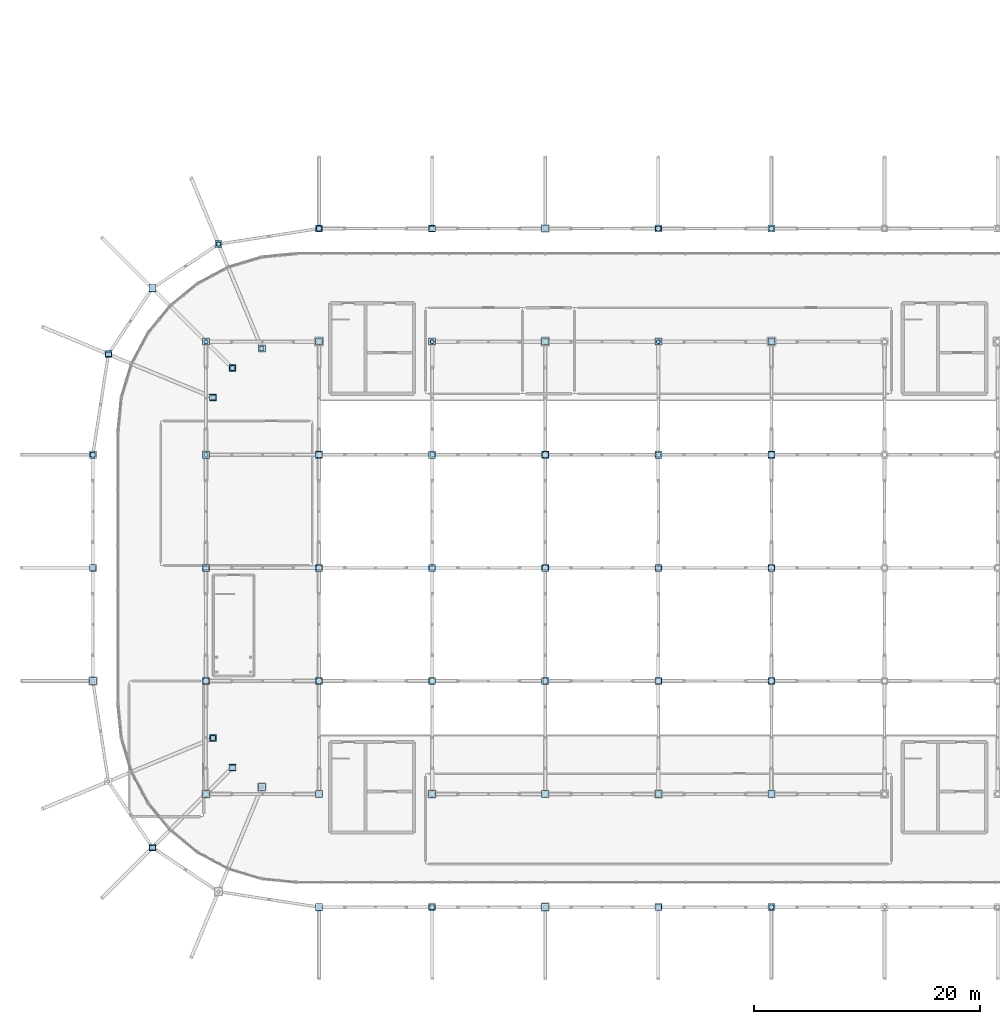
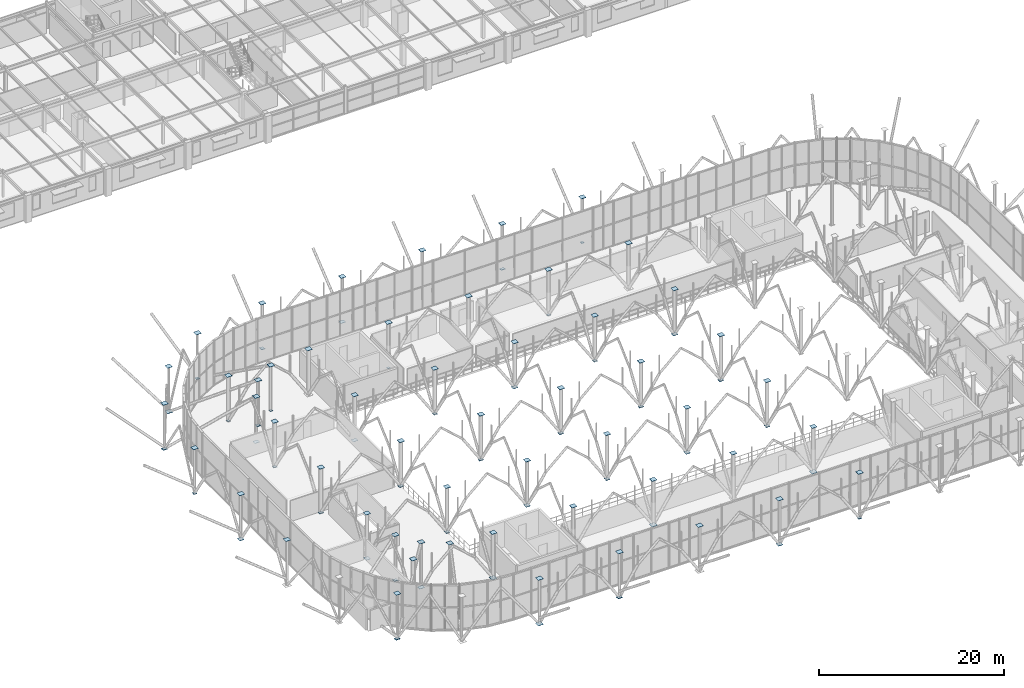
# One storey, part 93 of 109: 96 plates.
"""IFC4 building model written with IfcOpenShell, lengths in metres."""

from ifc_helpers import new_model, si_unit, derived_unit, direction, frame, origin, origin_2d_with_axis, place, context, subcontext, project, spatial, rectangle, extrude, material, layer, layer_set, type_object, element, save


model = new_model("IFC4")

# Units and contexts
model_context = context("Model", 3, precision=1e-05, world=origin(), true_north=direction((0.0, 1.0)))
body_context = subcontext(model_context, "Body", "Model", "MODEL_VIEW")
ifc_project = project(units=[si_unit("LENGTHUNIT", "METRE"), si_unit("AREAUNIT", "SQUARE_METRE"), si_unit("VOLUMEUNIT", "CUBIC_METRE"), si_unit("PLANEANGLEUNIT", "RADIAN"), si_unit("MASSUNIT", "GRAM", prefix="KILO"), derived_unit("THERMALTRANSMITTANCEUNIT", [(si_unit("POWERUNIT", "WATT"), 1), (si_unit("LENGTHUNIT", "METRE"), -2), (si_unit("THERMODYNAMICTEMPERATUREUNIT", "KELVIN"), -1)])], contexts=[model_context])

# Site, building, storey
site_placement = place(None, origin())
site = spatial("IfcSite", under=ifc_project, at=site_placement, CompositionType="ELEMENT")
building_placement = place(site_placement, origin())
building = spatial("IfcBuilding", under=site, at=building_placement, Name="Cinnabar Yard Market Hall", CompositionType="ELEMENT")
storey_placement = place(building_placement, frame((0.0, 0.0, 8.39990234375)))
storey = spatial("IfcBuildingStorey", under=building, at=storey_placement, Name="L02", CompositionType="ELEMENT", Elevation=8.39990234375)

# Plates
ifc_material = material(Name="Steel Grade 350 (350 MPa)", Category="steel")
ifc_layer_1 = layer(ifc_material, 0.02392578125)
ifc_layer_set_1 = layer_set([ifc_layer_1], Name="Steel Grade 350 (350 MPa)")
plate_type_1 = type_object("IfcPlateType", Name="PL-NP02", PredefinedType="SHEET", material=ifc_layer_set_1)
for number, where, z_axis, x_axis, name in (
    (1, (76.0, 34.0, -0.011962890625), (0.0, 0.0, 1.0), (1.0, 0.0, 0.0), "Tree Collar Plate V1I-01-02"),
    (2, (96.0, 34.0, -0.011962890625), (0.0, 0.0, 1.0), (1.0, 0.0, 0.0), "Tree Collar Plate V1I-03-02"),
    (3, (116.0, 34.0, -0.011962890625), (0.0, 0.0, 1.0), (1.0, 0.0, 0.0), "Tree Collar Plate V1I-05-02"),
):
    element("IfcPlate", number, at=place(storey_placement, frame(where, z_axis=z_axis, x_axis=x_axis)), inside=storey, type_object=plate_type_1, Name=name, PredefinedType="SHEET", context=body_context, shape_type="SweptSolid", body=[
        extrude(rectangle(XDim=0.56005859375, YDim=0.56005859375, at=origin_2d_with_axis()), origin(), (0.0, 0.0, 1.0), 0.02392578125),
    ])
ifc_layer_2 = layer(ifc_material, 0.02392578125)
ifc_layer_set_2 = layer_set([ifc_layer_2], Name="Steel Grade 350 (350 MPa)")
plate_type_2 = type_object("IfcPlateType", Name="PL-NP02E", PredefinedType="SHEET", material=ifc_layer_set_2)
for number, where, z_axis, x_axis, name in (
    (4, (116.0, 14.0, -0.011962890625), (0.0, 0.0, 1.0), (1.0, 0.0, 0.0), "Tree Collar Plate V1S-04"),
    (5, (66.0, 44.0, -0.011962890625), (0.0, 0.0, 1.0), (1.0, 0.0, 0.0), "Tree Collar Plate V1W-02"),
):
    element("IfcPlate", number, at=place(storey_placement, frame(where, z_axis=z_axis, x_axis=x_axis)), inside=storey, type_object=plate_type_2, Name=name, PredefinedType="SHEET", context=body_context, shape_type="SweptSolid", body=[
        extrude(rectangle(XDim=0.56005859375, YDim=0.56005859375, at=origin_2d_with_axis()), origin(), (0.0, 0.0, 1.0), 0.02392578125),
    ])
ifc_layer_3 = layer(ifc_material, 0.02001953125)
ifc_layer_set_3 = layer_set([ifc_layer_3], Name="Steel Grade 350 (350 MPa)")
plate_type_3 = type_object("IfcPlateType", Name="PL-NP03", PredefinedType="SHEET", material=ifc_layer_set_3)
for number, where, z_axis, x_axis, name in (
    (6, (76.0, 44.0, -0.010009765625), (0.0, 0.0, 1.0), (1.0, 0.0, 0.0), "Tree Collar Plate V1I-01-03"),
    (7, (96.0, 44.0, -0.010009765625), (0.0, 0.0, 1.0), (1.0, 0.0, 0.0), "Tree Collar Plate V1I-03-03"),
    (8, (116.0, 44.0, -0.010009765625), (0.0, 0.0, 1.0), (1.0, 0.0, 0.0), "Tree Collar Plate V1I-05-03"),
):
    element("IfcPlate", number, at=place(storey_placement, frame(where, z_axis=z_axis, x_axis=x_axis)), inside=storey, type_object=plate_type_3, Name=name, PredefinedType="SHEET", context=body_context, shape_type="SweptSolid", body=[
        extrude(rectangle(XDim=0.47998046875, YDim=0.360107421875, at=origin_2d_with_axis()), origin(), (0.0, 0.0, 1.0), 0.02001953125),
    ])
ifc_layer_4 = layer(ifc_material, 0.02001953125)
ifc_layer_set_4 = layer_set([ifc_layer_4], Name="Steel Grade 350 (350 MPa)")
plate_type_4 = type_object("IfcPlateType", Name="PL-NP03E", PredefinedType="SHEET", material=ifc_layer_set_4)
plate_1_placement = place(storey_placement, frame((116.0, 74.0, -0.010009765625), z_axis=(0.0, 0.0, 1.0), x_axis=(1.0, 0.0, 0.0)))
element("IfcPlate", 9, at=plate_1_placement, inside=storey, type_object=plate_type_4, Name="Tree Collar Plate V1N-04", PredefinedType="SHEET", context=body_context, shape_type="SweptSolid", body=[
    extrude(rectangle(XDim=0.47998046875, YDim=0.360107421875, at=origin_2d_with_axis()), origin(), (0.0, 0.0, 1.0), 0.02001953125),
])
ifc_layer_5 = layer(ifc_material, 0.02392578125)
ifc_layer_set_5 = layer_set([ifc_layer_5], Name="Steel Grade 350 (350 MPa)")
plate_type_5 = type_object("IfcPlateType", Name="PL-NP04", PredefinedType="SHEET", material=ifc_layer_set_5)
for number, where, z_axis, x_axis, name in (
    (10, (76.0, 24.0, 5.988037109375), (0.0, 0.0, 1.0), (1.0, 0.0, 0.0), "Tree Column Top Cap V1I-01-01"),
    (11, (76.0, 34.0, 5.988037109375), (0.0, 0.0, 1.0), (1.0, 0.0, 0.0), "Tree Column Top Cap V1I-01-02"),
    (12, (76.0, 44.0, 5.988037109375), (0.0, 0.0, 1.0), (1.0, 0.0, 0.0), "Tree Column Top Cap V1I-01-03"),
    (13, (76.0, 54.0, 5.988037109375), (0.0, 0.0, 1.0), (1.0, 0.0, 0.0), "Tree Column Top Cap V1I-01-04"),
    (14, (76.0, 64.0, 5.988037109375), (0.0, 0.0, 1.0), (1.0, 0.0, 0.0), "Tree Column Top Cap V1I-01-05"),
    (15, (86.0, 24.0, 5.988037109375), (0.0, 0.0, 1.0), (1.0, 0.0, 0.0), "Tree Column Top Cap V1I-02-01"),
    (16, (86.0, 34.0, 5.988037109375), (0.0, 0.0, 1.0), (1.0, 0.0, 0.0), "Tree Column Top Cap V1I-02-02"),
    (17, (86.0, 44.0, 5.988037109375), (0.0, 0.0, 1.0), (1.0, 0.0, 0.0), "Tree Column Top Cap V1I-02-03"),
    (18, (86.0, 54.0, 5.988037109375), (0.0, 0.0, 1.0), (1.0, 0.0, 0.0), "Tree Column Top Cap V1I-02-04"),
    (19, (86.0, 64.0, 5.988037109375), (0.0, 0.0, 1.0), (1.0, 0.0, 0.0), "Tree Column Top Cap V1I-02-05"),
    (20, (96.0, 24.0, 5.988037109375), (0.0, 0.0, 1.0), (1.0, 0.0, 0.0), "Tree Column Top Cap V1I-03-01"),
    (21, (96.0, 34.0, 5.988037109375), (0.0, 0.0, 1.0), (1.0, 0.0, 0.0), "Tree Column Top Cap V1I-03-02"),
    (22, (96.0, 44.0, 5.988037109375), (0.0, 0.0, 1.0), (1.0, 0.0, 0.0), "Tree Column Top Cap V1I-03-03"),
    (23, (96.0, 54.0, 5.988037109375), (0.0, 0.0, 1.0), (1.0, 0.0, 0.0), "Tree Column Top Cap V1I-03-04"),
    (24, (96.0, 64.0, 5.988037109375), (0.0, 0.0, 1.0), (1.0, 0.0, 0.0), "Tree Column Top Cap V1I-03-05"),
    (25, (106.0, 24.0, 5.988037109375), (0.0, 0.0, 1.0), (1.0, 0.0, 0.0), "Tree Column Top Cap V1I-04-01"),
    (26, (106.0, 34.0, 5.988037109375), (0.0, 0.0, 1.0), (1.0, 0.0, 0.0), "Tree Column Top Cap V1I-04-02"),
    (27, (106.0, 44.0, 5.988037109375), (0.0, 0.0, 1.0), (1.0, 0.0, 0.0), "Tree Column Top Cap V1I-04-03"),
    (28, (106.0, 54.0, 5.988037109375), (0.0, 0.0, 1.0), (1.0, 0.0, 0.0), "Tree Column Top Cap V1I-04-04"),
    (29, (106.0, 64.0, 5.988037109375), (0.0, 0.0, 1.0), (1.0, 0.0, 0.0), "Tree Column Top Cap V1I-04-05"),
    (30, (116.0, 24.0, 5.988037109375), (0.0, 0.0, 1.0), (1.0, 0.0, 0.0), "Tree Column Top Cap V1I-05-01"),
    (31, (116.0, 34.0, 5.988037109375), (0.0, 0.0, 1.0), (1.0, 0.0, 0.0), "Tree Column Top Cap V1I-05-02"),
    (32, (116.0, 44.0, 5.988037109375), (0.0, 0.0, 1.0), (1.0, 0.0, 0.0), "Tree Column Top Cap V1I-05-03"),
    (33, (116.0, 54.0, 5.988037109375), (0.0, 0.0, 1.0), (1.0, 0.0, 0.0), "Tree Column Top Cap V1I-05-04"),
    (34, (116.0, 64.0, 5.988037109375), (0.0, 0.0, 1.0), (1.0, 0.0, 0.0), "Tree Column Top Cap V1I-05-05"),
    (35, (126.0, 24.0, 5.988037109375), (0.0, 0.0, 1.0), (1.0, 0.0, 0.0), "Tree Column Top Cap V1I-06-01"),
    (36, (126.0, 34.0, 5.988037109375), (0.0, 0.0, 1.0), (1.0, 0.0, 0.0), "Tree Column Top Cap V1I-06-02"),
    (37, (126.0, 44.0, 5.988037109375), (0.0, 0.0, 1.0), (1.0, 0.0, 0.0), "Tree Column Top Cap V1I-06-03"),
    (38, (126.0, 54.0, 5.988037109375), (0.0, 0.0, 1.0), (1.0, 0.0, 0.0), "Tree Column Top Cap V1I-06-04"),
    (39, (126.0, 64.0, 5.988037109375), (0.0, 0.0, 1.0), (1.0, 0.0, 0.0), "Tree Column Top Cap V1I-06-05"),
    (40, (76.60888671875, 28.9384765625, 5.988037109375), (0.0, 0.0, 1.0), (1.0, 0.0, 0.0), "Tree Column Top Cap V1IC-SW2"),
    (41, (78.343017578125, 26.343017578125, 5.988037109375), (0.0, 0.0, 1.0), (1.0, 0.0, 0.0), "Tree Column Top Cap V1IC-SW4"),
    (42, (80.9384765625, 24.60888671875, 5.988037109375), (0.0, 0.0, 1.0), (1.0, 0.0, 0.0), "Tree Column Top Cap V1IC-SW6"),
    (43, (80.9384765625, 63.39111328125, 5.988037109375), (0.0, 0.0, 1.0), (1.0, 0.0, 0.0), "Tree Column Top Cap V1IC-NW2"),
    (44, (78.343017578125, 61.656982421875, 5.988037109375), (0.0, 0.0, 1.0), (1.0, 0.0, 0.0), "Tree Column Top Cap V1IC-NW4"),
    (45, (76.60888671875, 59.0615234375, 5.988037109375), (0.0, 0.0, 1.0), (1.0, 0.0, 0.0), "Tree Column Top Cap V1IC-NW6"),
):
    element("IfcPlate", number, at=place(storey_placement, frame(where, z_axis=z_axis, x_axis=x_axis)), inside=storey, type_object=plate_type_5, Name=name, PredefinedType="SHEET", context=body_context, shape_type="SweptSolid", body=[
        extrude(rectangle(XDim=0.6201171875, YDim=0.6201171875, at=origin_2d_with_axis()), origin(), (0.0, 0.0, 1.0), 0.02392578125),
    ])
ifc_layer_6 = layer(ifc_material, 0.02392578125)
ifc_layer_set_6 = layer_set([ifc_layer_6], Name="Steel Grade 350 (350 MPa)")
plate_type_6 = type_object("IfcPlateType", Name="PL-NP04E", PredefinedType="SHEET", material=ifc_layer_set_6)
for number, where, z_axis, x_axis, name in (
    (46, (86.0, 14.0, 5.988037109375), (0.0, 0.0, 1.0), (1.0, 0.0, 0.0), "Tree Column Top Cap V1S-01"),
    (47, (86.0, 74.0, 5.988037109375), (0.0, 0.0, 1.0), (1.0, 0.0, 0.0), "Tree Column Top Cap V1N-01"),
    (48, (96.0, 14.0, 5.988037109375), (0.0, 0.0, 1.0), (1.0, 0.0, 0.0), "Tree Column Top Cap V1S-02"),
    (49, (96.0, 74.0, 5.988037109375), (0.0, 0.0, 1.0), (1.0, 0.0, 0.0), "Tree Column Top Cap V1N-02"),
    (50, (106.0, 14.0, 5.988037109375), (0.0, 0.0, 1.0), (1.0, 0.0, 0.0), "Tree Column Top Cap V1S-03"),
    (51, (106.0, 74.0, 5.988037109375), (0.0, 0.0, 1.0), (1.0, 0.0, 0.0), "Tree Column Top Cap V1N-03"),
    (52, (116.0, 14.0, 5.988037109375), (0.0, 0.0, 1.0), (1.0, 0.0, 0.0), "Tree Column Top Cap V1S-04"),
    (53, (116.0, 74.0, 5.988037109375), (0.0, 0.0, 1.0), (1.0, 0.0, 0.0), "Tree Column Top Cap V1N-04"),
    (54, (126.0, 14.0, 5.988037109375), (0.0, 0.0, 1.0), (1.0, 0.0, 0.0), "Tree Column Top Cap V1S-05"),
    (55, (126.0, 74.0, 5.988037109375), (0.0, 0.0, 1.0), (1.0, 0.0, 0.0), "Tree Column Top Cap V1N-05"),
    (56, (66.0, 34.0, 5.988037109375), (0.0, 0.0, 1.0), (1.0, 0.0, 0.0), "Tree Column Top Cap V1W-01"),
    (57, (66.0, 44.0, 5.988037109375), (0.0, 0.0, 1.0), (1.0, 0.0, 0.0), "Tree Column Top Cap V1W-02"),
    (58, (66.0, 54.0, 5.988037109375), (0.0, 0.0, 1.0), (1.0, 0.0, 0.0), "Tree Column Top Cap V1W-03"),
    (59, (71.272216796875, 19.272216796875, 5.988037109375), (0.0, 0.0, 1.0), (1.0, 0.0, 0.0), "Tree Column Top Cap V1C-SW4"),
    (60, (77.11181640625, 72.6298828125, 5.988037109375), (0.0, 0.0, 1.0), (1.0, 0.0, 0.0), "Tree Column Top Cap V1C-NW2"),
    (61, (71.272216796875, 68.727783203125, 5.988037109375), (0.0, 0.0, 1.0), (1.0, 0.0, 0.0), "Tree Column Top Cap V1C-NW4"),
    (62, (67.3701171875, 62.88818359375, 5.988037109375), (0.0, 0.0, 1.0), (1.0, 0.0, 0.0), "Tree Column Top Cap V1C-NW6"),
):
    element("IfcPlate", number, at=place(storey_placement, frame(where, z_axis=z_axis, x_axis=x_axis)), inside=storey, type_object=plate_type_6, Name=name, PredefinedType="SHEET", context=body_context, shape_type="SweptSolid", body=[
        extrude(rectangle(XDim=0.6201171875, YDim=0.6201171875, at=origin_2d_with_axis()), origin(), (0.0, 0.0, 1.0), 0.02392578125),
    ])
ifc_layer_7 = layer(ifc_material, 0.035888671875)
ifc_layer_set_7 = layer_set([ifc_layer_7], Name="Steel Grade 350 (350 MPa)")
plate_type_7 = type_object("IfcPlateType", Name="PL-NP06", PredefinedType="SHEET", material=ifc_layer_set_7)
for number, where, z_axis, x_axis, name in (
    (63, (86.0, 24.0, -0.01806640625), (0.0, 0.0, 1.0), (1.0, 0.0, 0.0), "Tree Collar Plate V1I-02-01"),
    (64, (106.0, 24.0, -0.01806640625), (0.0, 0.0, 1.0), (1.0, 0.0, 0.0), "Tree Collar Plate V1I-04-01"),
    (65, (126.0, 24.0, -0.01806640625), (0.0, 0.0, 1.0), (1.0, 0.0, 0.0), "Tree Collar Plate V1I-06-01"),
):
    element("IfcPlate", number, at=place(storey_placement, frame(where, z_axis=z_axis, x_axis=x_axis)), inside=storey, type_object=plate_type_7, Name=name, PredefinedType="SHEET", context=body_context, shape_type="SweptSolid", body=[
        extrude(rectangle(XDim=0.639892578125, YDim=0.639892578125, at=origin_2d_with_axis()), origin(), (0.0, 0.0, 1.0), 0.035888671875),
    ])
ifc_layer_8 = layer(ifc_material, 0.035888671875)
ifc_layer_set_8 = layer_set([ifc_layer_8], Name="Steel Grade 350 (350 MPa)")
plate_type_8 = type_object("IfcPlateType", Name="PL-NP06E", PredefinedType="SHEET", material=ifc_layer_set_8)
for number, where, z_axis, x_axis, name in (
    (66, (86.0, 14.0, -0.01806640625), (0.0, 0.0, 1.0), (1.0, 0.0, 0.0), "Tree Collar Plate V1S-01"),
    (67, (71.272216796875, 68.727783203125, -0.01806640625), (0.0, 0.0, 1.0), (1.0, 0.0, 0.0), "Tree Collar Plate V1C-NW4"),
):
    element("IfcPlate", number, at=place(storey_placement, frame(where, z_axis=z_axis, x_axis=x_axis)), inside=storey, type_object=plate_type_8, Name=name, PredefinedType="SHEET", context=body_context, shape_type="SweptSolid", body=[
        extrude(rectangle(XDim=0.639892578125, YDim=0.639892578125, at=origin_2d_with_axis()), origin(), (0.0, 0.0, 1.0), 0.035888671875),
    ])
ifc_layer_9 = layer(ifc_material, 0.01806640625)
ifc_layer_set_9 = layer_set([ifc_layer_9], Name="Steel Grade 350 (350 MPa)")
plate_type_9 = type_object("IfcPlateType", Name="PL-NP07", PredefinedType="SHEET", material=ifc_layer_set_9)
for number, where, z_axis, x_axis, name in (
    (68, (86.0, 34.0, -0.009033203125), (0.0, 0.0, 1.0), (1.0, 0.0, 0.0), "Tree Collar Plate V1I-02-02"),
    (69, (106.0, 34.0, -0.009033203125), (0.0, 0.0, 1.0), (1.0, 0.0, 0.0), "Tree Collar Plate V1I-04-02"),
    (70, (126.0, 34.0, -0.009033203125), (0.0, 0.0, 1.0), (1.0, 0.0, 0.0), "Tree Collar Plate V1I-06-02"),
    (71, (76.60888671875, 28.9384765625, -0.009033203125), (0.0, 0.0, 1.0), (1.0, 0.0, 0.0), "Tree Collar Plate V1IC-SW2"),
    (72, (78.343017578125, 61.656982421875, -0.009033203125), (0.0, 0.0, 1.0), (1.0, 0.0, 0.0), "Tree Collar Plate V1IC-NW4"),
):
    element("IfcPlate", number, at=place(storey_placement, frame(where, z_axis=z_axis, x_axis=x_axis)), inside=storey, type_object=plate_type_9, Name=name, PredefinedType="SHEET", context=body_context, shape_type="SweptSolid", body=[
        extrude(rectangle(XDim=0.43994140625, YDim=0.43994140625, at=origin_2d_with_axis()), origin(), (0.0, 0.0, 1.0), 0.01806640625),
    ])
ifc_layer_10 = layer(ifc_material, 0.01806640625)
ifc_layer_set_10 = layer_set([ifc_layer_10], Name="Steel Grade 350 (350 MPa)")
plate_type_10 = type_object("IfcPlateType", Name="PL-NP07E", PredefinedType="SHEET", material=ifc_layer_set_10)
plate_2_placement = place(storey_placement, frame((86.0, 74.0, -0.009033203125), z_axis=(0.0, 0.0, 1.0), x_axis=(1.0, 0.0, 0.0)))
element("IfcPlate", 73, at=plate_2_placement, inside=storey, type_object=plate_type_10, Name="Tree Collar Plate V1N-01", PredefinedType="SHEET", context=body_context, shape_type="SweptSolid", body=[
    extrude(rectangle(XDim=0.43994140625, YDim=0.43994140625, at=origin_2d_with_axis()), origin(), (0.0, 0.0, 1.0), 0.01806640625),
])
ifc_layer_11 = layer(ifc_material, 0.02197265625)
ifc_layer_set_11 = layer_set([ifc_layer_11], Name="Steel Grade 350 (350 MPa)")
plate_type_11 = type_object("IfcPlateType", Name="PL-NP08", PredefinedType="SHEET", material=ifc_layer_set_11)
for number, where, z_axis, x_axis, name in (
    (74, (86.0, 44.0, -0.010986328125), (0.0, 0.0, 1.0), (1.0, 0.0, 0.0), "Tree Collar Plate V1I-02-03"),
    (75, (106.0, 44.0, -0.010986328125), (0.0, 0.0, 1.0), (1.0, 0.0, 0.0), "Tree Collar Plate V1I-04-03"),
    (76, (126.0, 44.0, -0.010986328125), (0.0, 0.0, 1.0), (1.0, 0.0, 0.0), "Tree Collar Plate V1I-06-03"),
):
    element("IfcPlate", number, at=place(storey_placement, frame(where, z_axis=z_axis, x_axis=x_axis)), inside=storey, type_object=plate_type_11, Name=name, PredefinedType="SHEET", context=body_context, shape_type="SweptSolid", body=[
        extrude(rectangle(XDim=0.52001953125, YDim=0.39990234375, at=origin_2d_with_axis()), origin(), (0.0, 0.0, 1.0), 0.02197265625),
    ])
ifc_layer_12 = layer(ifc_material, 0.02197265625)
ifc_layer_set_12 = layer_set([ifc_layer_12], Name="Steel Grade 350 (350 MPa)")
plate_type_12 = type_object("IfcPlateType", Name="PL-NP08E", PredefinedType="SHEET", material=ifc_layer_set_12)
for number, where, z_axis, x_axis, name in (
    (77, (96.0, 14.0, -0.010986328125), (0.0, 0.0, 1.0), (1.0, 0.0, 0.0), "Tree Collar Plate V1S-02"),
    (78, (71.272216796875, 19.272216796875, -0.010986328125), (0.0, 0.0, 1.0), (1.0, 0.0, 0.0), "Tree Collar Plate V1C-SW4"),
    (79, (67.3701171875, 62.88818359375, -0.010986328125), (0.0, 0.0, 1.0), (1.0, 0.0, 0.0), "Tree Collar Plate V1C-NW6"),
):
    element("IfcPlate", number, at=place(storey_placement, frame(where, z_axis=z_axis, x_axis=x_axis)), inside=storey, type_object=plate_type_12, Name=name, PredefinedType="SHEET", context=body_context, shape_type="SweptSolid", body=[
        extrude(rectangle(XDim=0.52001953125, YDim=0.39990234375, at=origin_2d_with_axis()), origin(), (0.0, 0.0, 1.0), 0.02197265625),
    ])
ifc_layer_13 = layer(ifc_material, 0.02587890625)
ifc_layer_set_13 = layer_set([ifc_layer_13], Name="Steel Grade 350 (350 MPa)")
plate_type_13 = type_object("IfcPlateType", Name="PL-NP09", PredefinedType="SHEET", material=ifc_layer_set_13)
for number, where, z_axis, x_axis, name in (
    (80, (86.0, 54.0, -0.012939453125), (0.0, 0.0, 1.0), (1.0, 0.0, 0.0), "Tree Collar Plate V1I-02-04"),
    (81, (106.0, 54.0, -0.012939453125), (0.0, 0.0, 1.0), (1.0, 0.0, 0.0), "Tree Collar Plate V1I-04-04"),
    (82, (126.0, 54.0, -0.012939453125), (0.0, 0.0, 1.0), (1.0, 0.0, 0.0), "Tree Collar Plate V1I-06-04"),
    (83, (78.343017578125, 26.343017578125, -0.012939453125), (0.0, 0.0, 1.0), (1.0, 0.0, 0.0), "Tree Collar Plate V1IC-SW4"),
    (84, (76.60888671875, 59.0615234375, -0.012939453125), (0.0, 0.0, 1.0), (1.0, 0.0, 0.0), "Tree Collar Plate V1IC-NW6"),
):
    element("IfcPlate", number, at=place(storey_placement, frame(where, z_axis=z_axis, x_axis=x_axis)), inside=storey, type_object=plate_type_13, Name=name, PredefinedType="SHEET", context=body_context, shape_type="SweptSolid", body=[
        extrude(rectangle(XDim=0.60009765625, YDim=0.47998046875, at=origin_2d_with_axis()), origin(), (0.0, 0.0, 1.0), 0.02587890625),
    ])
ifc_layer_14 = layer(ifc_material, 0.02587890625)
ifc_layer_set_14 = layer_set([ifc_layer_14], Name="Steel Grade 350 (350 MPa)")
plate_type_14 = type_object("IfcPlateType", Name="PL-NP09E", PredefinedType="SHEET", material=ifc_layer_set_14)
plate_3_placement = place(storey_placement, frame((96.0, 74.0, -0.012939453125), z_axis=(0.0, 0.0, 1.0), x_axis=(1.0, 0.0, 0.0)))
element("IfcPlate", 85, at=plate_3_placement, inside=storey, type_object=plate_type_14, Name="Tree Collar Plate V1N-02", PredefinedType="SHEET", context=body_context, shape_type="SweptSolid", body=[
    extrude(rectangle(XDim=0.60009765625, YDim=0.47998046875, at=origin_2d_with_axis()), origin(), (0.0, 0.0, 1.0), 0.02587890625),
])
ifc_layer_15 = layer(ifc_material, 0.01611328125)
ifc_layer_set_15 = layer_set([ifc_layer_15], Name="Steel Grade 350 (350 MPa)")
plate_type_15 = type_object("IfcPlateType", Name="PL-NP11", PredefinedType="SHEET", material=ifc_layer_set_15)
for number, where, z_axis, x_axis, name in (
    (86, (76.0, 54.0, -0.008056640625), (0.0, 0.0, 1.0), (1.0, 0.0, 0.0), "Tree Collar Plate V1I-01-04"),
    (87, (96.0, 54.0, -0.008056640625), (0.0, 0.0, 1.0), (1.0, 0.0, 0.0), "Tree Collar Plate V1I-03-04"),
    (88, (116.0, 54.0, -0.008056640625), (0.0, 0.0, 1.0), (1.0, 0.0, 0.0), "Tree Collar Plate V1I-05-04"),
):
    element("IfcPlate", number, at=place(storey_placement, frame(where, z_axis=z_axis, x_axis=x_axis)), inside=storey, type_object=plate_type_15, Name=name, PredefinedType="SHEET", context=body_context, shape_type="SweptSolid", body=[
        extrude(rectangle(XDim=0.3798828125, YDim=0.3798828125, at=origin_2d_with_axis()), origin(), (0.0, 0.0, 1.0), 0.01611328125),
    ])
ifc_layer_16 = layer(ifc_material, 0.01611328125)
ifc_layer_set_16 = layer_set([ifc_layer_16], Name="Steel Grade 350 (350 MPa)")
plate_type_16 = type_object("IfcPlateType", Name="PL-NP11E", PredefinedType="SHEET", material=ifc_layer_set_16)
for number, where, z_axis, x_axis, name in (
    (89, (126.0, 14.0, -0.008056640625), (0.0, 0.0, 1.0), (1.0, 0.0, 0.0), "Tree Collar Plate V1S-05"),
    (90, (66.0, 54.0, -0.008056640625), (0.0, 0.0, 1.0), (1.0, 0.0, 0.0), "Tree Collar Plate V1W-03"),
    (91, (77.11181640625, 72.6298828125, -0.008056640625), (0.0, 0.0, 1.0), (1.0, 0.0, 0.0), "Tree Collar Plate V1C-NW2"),
):
    element("IfcPlate", number, at=place(storey_placement, frame(where, z_axis=z_axis, x_axis=x_axis)), inside=storey, type_object=plate_type_16, Name=name, PredefinedType="SHEET", context=body_context, shape_type="SweptSolid", body=[
        extrude(rectangle(XDim=0.3798828125, YDim=0.3798828125, at=origin_2d_with_axis()), origin(), (0.0, 0.0, 1.0), 0.01611328125),
    ])
ifc_layer_17 = layer(ifc_material, 0.011962890625)
ifc_layer_set_17 = layer_set([ifc_layer_17], Name="Steel Grade 350 (350 MPa)")
plate_type_17 = type_object("IfcPlateType", Name="PL-NP13", PredefinedType="SHEET", material=ifc_layer_set_17)
for number, where, z_axis, x_axis, name in (
    (92, (76.0, 64.0, -0.005859375), (0.0, 0.0, 1.0), (1.0, 0.0, 0.0), "Tree Collar Plate V1I-01-05"),
    (93, (96.0, 64.0, -0.005859375), (0.0, 0.0, 1.0), (1.0, 0.0, 0.0), "Tree Collar Plate V1I-03-05"),
    (94, (116.0, 64.0, -0.005859375), (0.0, 0.0, 1.0), (1.0, 0.0, 0.0), "Tree Collar Plate V1I-05-05"),
    (95, (80.9384765625, 63.39111328125, -0.005859375), (0.0, 0.0, 1.0), (1.0, 0.0, 0.0), "Tree Collar Plate V1IC-NW2"),
):
    element("IfcPlate", number, at=place(storey_placement, frame(where, z_axis=z_axis, x_axis=x_axis)), inside=storey, type_object=plate_type_17, Name=name, PredefinedType="SHEET", context=body_context, shape_type="SweptSolid", body=[
        extrude(rectangle(XDim=0.320068359375, YDim=0.320068359375, at=origin_2d_with_axis()), origin(), (0.0, 0.0, 1.0), 0.011962890625),
    ])
ifc_layer_18 = layer(ifc_material, 0.011962890625)
ifc_layer_set_18 = layer_set([ifc_layer_18], Name="Steel Grade 350 (350 MPa)")
plate_type_18 = type_object("IfcPlateType", Name="PL-NP13E", PredefinedType="SHEET", material=ifc_layer_set_18)
plate_4_placement = place(storey_placement, frame((126.0, 74.0, -0.005859375), z_axis=(0.0, 0.0, 1.0), x_axis=(1.0, 0.0, 0.0)))
element("IfcPlate", 96, at=plate_4_placement, inside=storey, type_object=plate_type_18, Name="Tree Collar Plate V1N-05", PredefinedType="SHEET", context=body_context, shape_type="SweptSolid", body=[
    extrude(rectangle(XDim=0.320068359375, YDim=0.320068359375, at=origin_2d_with_axis()), origin(), (0.0, 0.0, 1.0), 0.011962890625),
])

save(model, "model.ifc")
